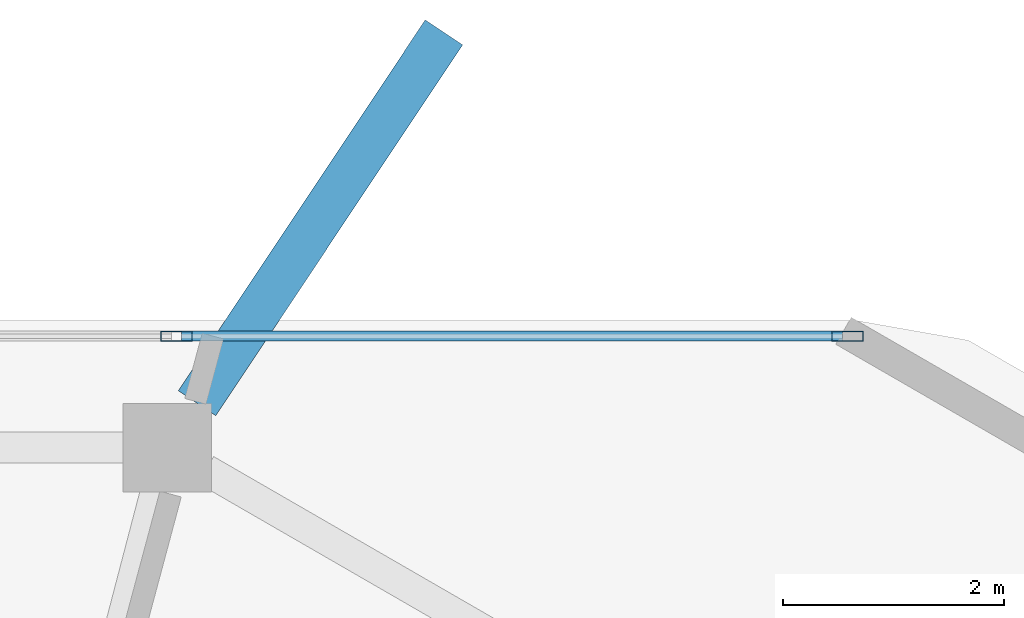
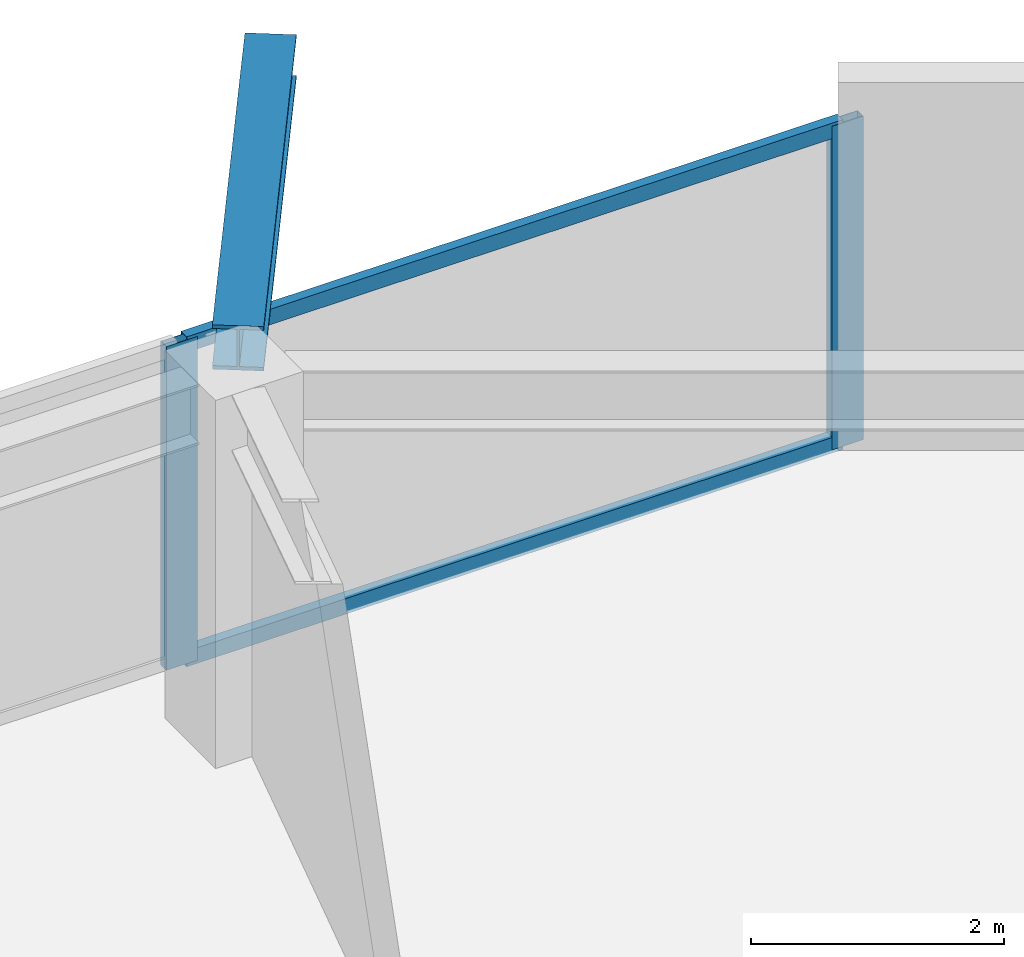
# One storey, part 10 of 19: 4 members, 1 beam, 1 element without a shape of its own.
"""IFC4 building model written with IfcOpenShell, lengths in metres."""

from ifc_helpers import new_model, si_unit, direction, frame, origin, origin_2d, place, context, subcontext, project, spatial, hollow_rectangle, i_section, extrude, material, material_profile, profile_set, type_object, element, aggregate, save


model = new_model("IFC4")

# Units and contexts
model_context = context("Model", 3, precision=1e-05, world=origin(), true_north=direction((0.0, 1.0)))
body_context = subcontext(model_context, "Body", "Model", "MODEL_VIEW")
ifc_project = project(units=[si_unit("LENGTHUNIT", "METRE"), si_unit("AREAUNIT", "SQUARE_METRE"), si_unit("VOLUMEUNIT", "CUBIC_METRE"), si_unit("PLANEANGLEUNIT", "RADIAN"), si_unit("MASSUNIT", "GRAM", prefix="KILO")], contexts=[model_context])

# Site, building, storey
site_placement = place(None, origin())
site = spatial("IfcSite", under=ifc_project, at=site_placement, CompositionType="ELEMENT")
building_placement = place(site_placement, origin())
building = spatial("IfcBuilding", under=site, at=building_placement, Name="Zuhravey Tower", CompositionType="ELEMENT")
storey_placement = place(building_placement, frame((0.0, 0.0, 327.199951171875)))
storey = spatial("IfcBuildingStorey", under=building, at=storey_placement, Name="L83", CompositionType="ELEMENT", Elevation=327.199951171875)

# Curtain wall, members
ifc_material_1 = material(Name="Thermally broken anodised aluminium", Category="aluminium")
curtain_wall_type = type_object("IfcCurtainWallType", Name="Zone 3-4 High-Rise Curtain Wall CW4", PredefinedType="NOTDEFINED", material=ifc_material_1)
curtain_wall_placement = place(storey_placement, origin())
curtain_wall = element("IfcCurtainWall", 1, at=curtain_wall_placement, inside=storey, type_object=curtain_wall_type, Name="L83 CW4 CW-L83-F2-1", PredefinedType="NOTDEFINED")
ifc_material_2 = material(Name="Anodised aluminium", Category="aluminium")
ifc_material_profile_1 = material_profile(ifc_material_2, hollow_rectangle(XDim=0.090087890625, YDim=0.284912109375, WallThickness=0.0048828125, at=origin_2d()), Name="ALU-RHS-90x285x5")
ifc_profile_set_1 = profile_set([ifc_material_profile_1], Name="Anodised aluminium")
member_type_1 = type_object("IfcMemberType", Name="Curtain-Wall Mullion 90x180", PredefinedType="MULLION", material=ifc_profile_set_1)
member_1_placement = place(storey_placement, frame((42.11962890625, 56.07421875, 0.0), z_axis=(0.0, 0.0, 1.0), x_axis=(0.0, 1.0, 0.0)))
member_1 = element("IfcMember", 2, at=member_1_placement, type_object=member_type_1, Name="CW4 mullion 4", PredefinedType="MULLION", context=body_context, shape_type="SweptSolid", body=[
    extrude(hollow_rectangle(XDim=0.090087890625, YDim=0.284912109375, WallThickness=0.0048828125, at=origin_2d()), origin(), (0.0, 0.0, 1.0), 3.1220703125),
])
member_2_placement = place(storey_placement, frame((48.1943359375, 56.07421875, 0.0), z_axis=(0.0, 0.0, 1.0), x_axis=(0.0, 1.0, 0.0)))
member_2 = element("IfcMember", 3, at=member_2_placement, type_object=member_type_1, Name="CW4 mullion 5", PredefinedType="MULLION", context=body_context, shape_type="SweptSolid", body=[
    extrude(hollow_rectangle(XDim=0.090087890625, YDim=0.284912109375, WallThickness=0.0048828125, at=origin_2d()), origin(), (0.0, 0.0, 1.0), 3.1220703125),
])
ifc_material_profile_2 = material_profile(ifc_material_2, hollow_rectangle(XDim=0.090087890625, YDim=0.14990234375, WallThickness=0.0048828125, at=origin_2d()), Name="ALU-RHS-90x150x5")
ifc_profile_set_2 = profile_set([ifc_material_profile_2], Name="Anodised aluminium")
member_type_2 = type_object("IfcMemberType", Name="Curtain-Wall Transom 90x150", PredefinedType="USERDEFINED", material=ifc_profile_set_2)
member_3_placement = place(storey_placement, frame((42.16455078125, 56.07421875, 0.045166015625), z_axis=(1.0, 0.0, 0.0), x_axis=(0.0, 1.0, 0.0)))
member_3 = element("IfcMember", 4, at=member_3_placement, type_object=member_type_2, Name="CW4 transom 4.1", ObjectType="TRANSOM", PredefinedType="USERDEFINED", context=body_context, shape_type="SweptSolid", body=[
    extrude(hollow_rectangle(XDim=0.090087890625, YDim=0.14990234375, WallThickness=0.0048828125, at=origin_2d()), origin(), (0.0, 0.0, 1.0), 5.98486328125),
])
member_4_placement = place(storey_placement, frame((42.16455078125, 56.07421875, 3.0771484375), z_axis=(1.0, 0.0, 0.0), x_axis=(0.0, 1.0, 0.0)))
member_4 = element("IfcMember", 5, at=member_4_placement, type_object=member_type_2, Name="CW4 transom 4.2", ObjectType="TRANSOM", PredefinedType="USERDEFINED", context=body_context, shape_type="SweptSolid", body=[
    extrude(hollow_rectangle(XDim=0.090087890625, YDim=0.14990234375, WallThickness=0.0048828125, at=origin_2d()), origin(), (0.0, 0.0, 1.0), 5.98486328125),
])
aggregate(curtain_wall, [member_1, member_2, member_3, member_4])

# Beam
ifc_material_3 = material(Name="Steel SM460", Category="steel")
ifc_material_profile_3 = material_profile(ifc_material_3, i_section(OverallWidth=0.406982421875, OverallDepth=0.427978515625, WebThickness=0.02001953125, FlangeThickness=0.034912109375, at=origin_2d()), Name="H-428x407x20x35")
ifc_profile_set_3 = profile_set([ifc_material_profile_3], Name="Steel SM460")
beam_type = type_object("IfcBeamType", Name="Exoskeleton Node Tie Beam H428x407", PredefinedType="BEAM", material=ifc_profile_set_3)
beam_placement = place(storey_placement, frame((42.307373046875, 55.467529296875, 3.3359375), z_axis=(0.554336643852, 0.832292547896, 0.0), x_axis=(-0.832292547896, 0.554336643852, 0.0)))
element("IfcBeam", 6, at=beam_placement, inside=storey, type_object=beam_type, Name="L83 Exoskeleton Node Tie NT1-03", PredefinedType="BEAM", context=body_context, shape_type="SweptSolid", body=[
    extrude(i_section(OverallWidth=0.406982421875, OverallDepth=0.427978515625, WebThickness=0.02001953125, FlangeThickness=0.034912109375, at=origin_2d()), origin(), (0.0, 0.0, 1.0), 4.02978515625),
])

save(model, "model.ifc")
